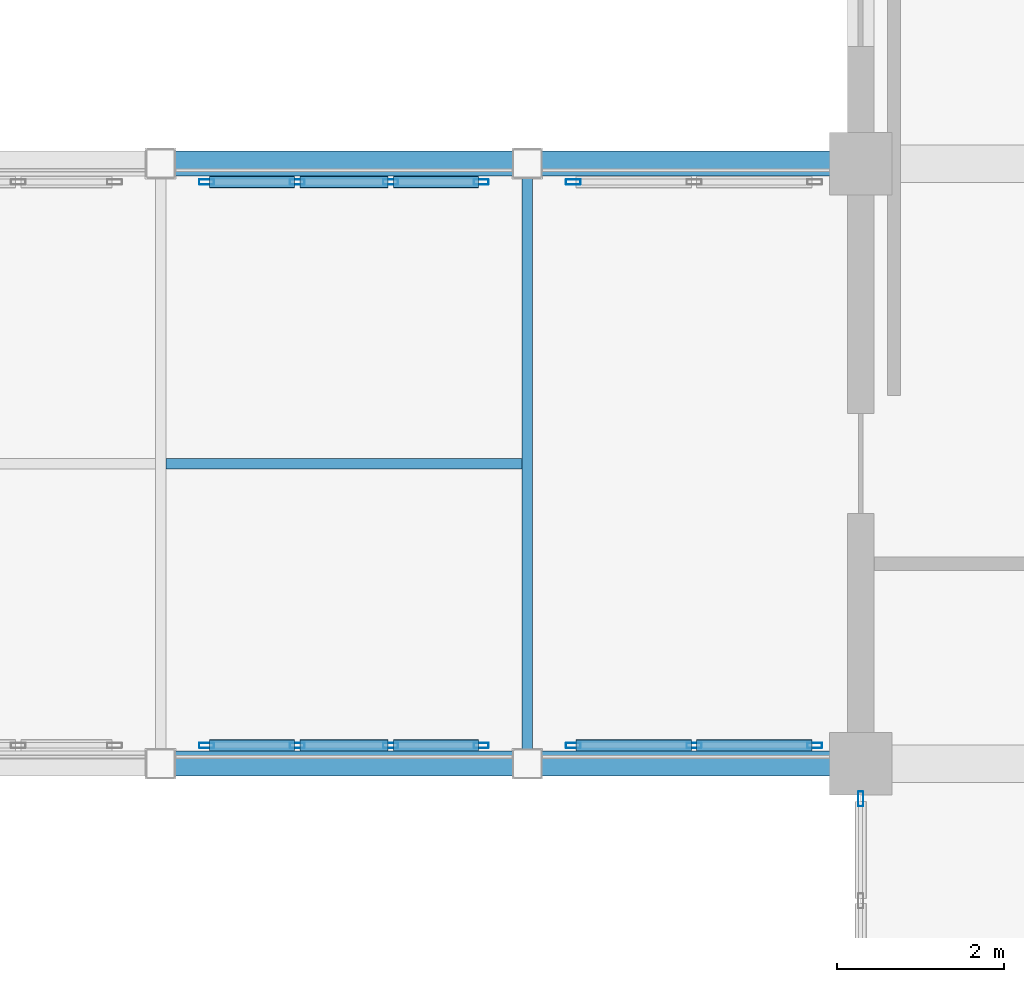
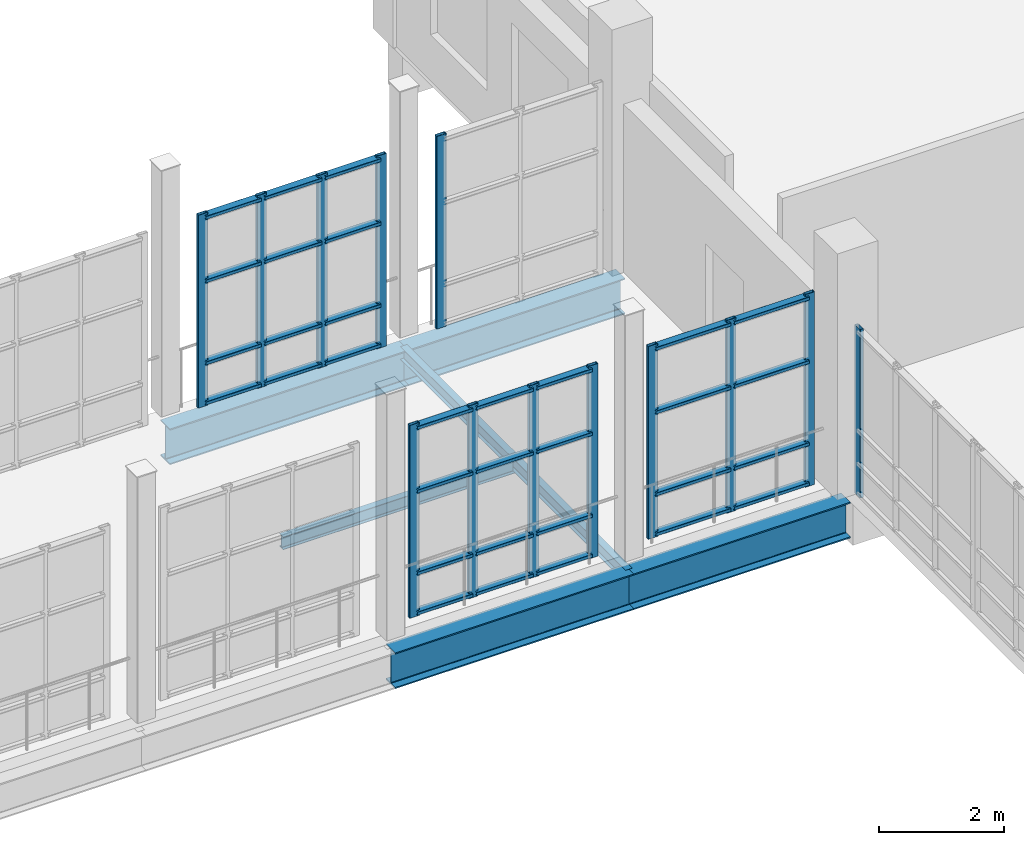
# One storey, part 33 of 106: 45 members, 6 beams, 5 elements without a shape of their own.
"""IFC4 building model written with IfcOpenShell, lengths in metres."""

from ifc_helpers import new_model, si_unit, direction, frame, origin, origin_2d, place, context, subcontext, project, spatial, hollow_rectangle, i_section, extrude, material, layer, layer_set, material_profile, profile_set, type_object, element, aggregate, save


model = new_model("IFC4")

# Units and contexts
model_context = context("Model", 3, precision=1e-05, world=origin(), true_north=direction((0.0, 1.0)))
body_context = subcontext(model_context, "Body", "Model", "MODEL_VIEW")
ifc_project = project(units=[si_unit("LENGTHUNIT", "METRE"), si_unit("AREAUNIT", "SQUARE_METRE"), si_unit("VOLUMEUNIT", "CUBIC_METRE"), si_unit("PLANEANGLEUNIT", "RADIAN"), si_unit("MASSUNIT", "GRAM", prefix="KILO")], contexts=[model_context])

# Site, building, storey
site_placement = place(None, origin())
site = spatial("IfcSite", under=ifc_project, at=site_placement, CompositionType="ELEMENT")
building_placement = place(site_placement, origin())
building = spatial("IfcBuilding", under=site, at=building_placement, Name="Kisaragi Civic Commons", CompositionType="ELEMENT")
storey_placement = place(building_placement, frame((0.0, 0.0, 4.800048828125)))
storey = spatial("IfcBuildingStorey", under=building, at=storey_placement, Name="L01", CompositionType="ELEMENT", Elevation=4.800048828125)

# Curtain wall, member
ifc_material_1 = material(Name="Thermally broken anodized aluminium and low-E double glazing", Category="aluminium")
ifc_layer_1 = layer(ifc_material_1, 0.179931640625, Name="Thermally broken anodized aluminium and low-E double glazing", Category="aluminium")
ifc_layer_set_1 = layer_set([ifc_layer_1], Name="Thermally broken anodized aluminium and low-E double glazing")
curtain_wall_type_1 = type_object("IfcCurtainWallType", Name="CW-01", PredefinedType="NOTDEFINED", material=ifc_layer_set_1)
curtain_wall_1_placement = place(storey_placement, origin())
curtain_wall_1 = element("IfcCurtainWall", 1, at=curtain_wall_1_placement, inside=storey, type_object=curtain_wall_type_1, Name="L01 curtain wall CW-01 CW-V4-L01-078", PredefinedType="NOTDEFINED")
ifc_material_profile_1 = material_profile(ifc_material_1, hollow_rectangle(XDim=0.06494140625, YDim=0.179931640625, WallThickness=0.00439453125, InnerFilletRadius=0.00439453125, OuterFilletRadius=0.009033203125, at=origin_2d()), Name="CWM-65x180x4.5", Category="aluminium")
ifc_profile_set_1 = profile_set([ifc_material_profile_1], Name="Thermally broken anodized aluminium and low-E double glazing")
member_type_1 = type_object("IfcMemberType", Name="CWM-02", PredefinedType="MULLION", material=ifc_profile_set_1)
member_1_placement = place(storey_placement, frame((72.0, 103.9775390625, 0.0), z_axis=(0.0, 0.0, 1.0), x_axis=(-1.0, 0.0, 0.0)))
member_1 = element("IfcMember", 2, at=member_1_placement, type_object=member_type_1, Name="CW-01 mullion 4", PredefinedType="MULLION", context=body_context, shape_type="SweptSolid", body=[
    extrude(hollow_rectangle(XDim=0.06494140625, YDim=0.179931640625, WallThickness=0.00439453125, InnerFilletRadius=0.00439453125, OuterFilletRadius=0.009033203125, at=origin_2d()), origin(), (0.0, 0.0, 1.0), 3.284912109375),
])
aggregate(curtain_wall_1, [member_1])

# Curtain wall, members
ifc_layer_2 = layer(ifc_material_1, 0.179931640625, Name="Thermally broken anodized aluminium and low-E double glazing", Category="aluminium")
ifc_layer_set_2 = layer_set([ifc_layer_2], Name="Thermally broken anodized aluminium and low-E double glazing")
curtain_wall_type_2 = type_object("IfcCurtainWallType", Name="CW-04", PredefinedType="NOTDEFINED", material=ifc_layer_set_2)
curtain_wall_2_placement = place(storey_placement, origin())
curtain_wall_2 = element("IfcCurtainWall", 3, at=curtain_wall_2_placement, inside=storey, type_object=curtain_wall_type_2, Name="L01 curtain wall CW-04 CW-BR-119", PredefinedType="NOTDEFINED")
member_2_placement = place(storey_placement, frame((64.152587890625, 104.6201171875, 0.0), z_axis=(0.0, 0.0, 1.0), x_axis=(0.0, 1.0, 0.0)))
member_2 = element("IfcMember", 4, at=member_2_placement, type_object=member_type_1, Name="CW-04 mullion 1", PredefinedType="MULLION", context=body_context, shape_type="SweptSolid", body=[
    extrude(hollow_rectangle(XDim=0.06494140625, YDim=0.179931640625, WallThickness=0.00439453125, InnerFilletRadius=0.00439453125, OuterFilletRadius=0.009033203125, at=origin_2d()), origin(), (0.0, 0.0, 1.0), 3.760009765625),
])
member_3_placement = place(storey_placement, frame((65.239990234375, 104.6201171875, 0.0), z_axis=(0.0, 0.0, 1.0), x_axis=(0.0, 1.0, 0.0)))
member_3 = element("IfcMember", 5, at=member_3_placement, type_object=member_type_1, Name="CW-04 mullion 2", PredefinedType="MULLION", context=body_context, shape_type="SweptSolid", body=[
    extrude(hollow_rectangle(XDim=0.06494140625, YDim=0.179931640625, WallThickness=0.00439453125, InnerFilletRadius=0.00439453125, OuterFilletRadius=0.009033203125, at=origin_2d()), origin(), (0.0, 0.0, 1.0), 3.760009765625),
])
member_4_placement = place(storey_placement, frame((66.360107421875, 104.6201171875, 0.0), z_axis=(0.0, 0.0, 1.0), x_axis=(0.0, 1.0, 0.0)))
member_4 = element("IfcMember", 6, at=member_4_placement, type_object=member_type_1, Name="CW-04 mullion 3", PredefinedType="MULLION", context=body_context, shape_type="SweptSolid", body=[
    extrude(hollow_rectangle(XDim=0.06494140625, YDim=0.179931640625, WallThickness=0.00439453125, InnerFilletRadius=0.00439453125, OuterFilletRadius=0.009033203125, at=origin_2d()), origin(), (0.0, 0.0, 1.0), 3.760009765625),
])
member_5_placement = place(storey_placement, frame((67.447509765625, 104.6201171875, 0.0), z_axis=(0.0, 0.0, 1.0), x_axis=(0.0, 1.0, 0.0)))
member_5 = element("IfcMember", 7, at=member_5_placement, type_object=member_type_1, Name="CW-04 mullion 4", PredefinedType="MULLION", context=body_context, shape_type="SweptSolid", body=[
    extrude(hollow_rectangle(XDim=0.06494140625, YDim=0.179931640625, WallThickness=0.00439453125, InnerFilletRadius=0.00439453125, OuterFilletRadius=0.009033203125, at=origin_2d()), origin(), (0.0, 0.0, 1.0), 3.760009765625),
])

curtain_wall_3_placement = place(storey_placement, origin())
curtain_wall_3 = element("IfcCurtainWall", 8, at=curtain_wall_3_placement, inside=storey, type_object=curtain_wall_type_2, Name="L01 curtain wall CW-04 CW-BR-120", PredefinedType="NOTDEFINED")
member_6_placement = place(storey_placement, frame((68.552490234375, 104.6201171875, 0.0), z_axis=(0.0, 0.0, 1.0), x_axis=(0.0, 1.0, 0.0)))
member_6 = element("IfcMember", 9, at=member_6_placement, type_object=member_type_1, Name="CW-04 mullion 1", PredefinedType="MULLION", context=body_context, shape_type="SweptSolid", body=[
    extrude(hollow_rectangle(XDim=0.06494140625, YDim=0.179931640625, WallThickness=0.00439453125, InnerFilletRadius=0.00439453125, OuterFilletRadius=0.009033203125, at=origin_2d()), origin(), (0.0, 0.0, 1.0), 3.760009765625),
])
member_7_placement = place(storey_placement, frame((70.0, 104.6201171875, 0.0), z_axis=(0.0, 0.0, 1.0), x_axis=(0.0, 1.0, 0.0)))
member_7 = element("IfcMember", 10, at=member_7_placement, type_object=member_type_1, Name="CW-04 mullion 2", PredefinedType="MULLION", context=body_context, shape_type="SweptSolid", body=[
    extrude(hollow_rectangle(XDim=0.06494140625, YDim=0.179931640625, WallThickness=0.00439453125, InnerFilletRadius=0.00439453125, OuterFilletRadius=0.009033203125, at=origin_2d()), origin(), (0.0, 0.0, 1.0), 3.760009765625),
])
member_8_placement = place(storey_placement, frame((71.447509765625, 104.6201171875, 0.0), z_axis=(0.0, 0.0, 1.0), x_axis=(0.0, 1.0, 0.0)))
member_8 = element("IfcMember", 11, at=member_8_placement, type_object=member_type_1, Name="CW-04 mullion 3", PredefinedType="MULLION", context=body_context, shape_type="SweptSolid", body=[
    extrude(hollow_rectangle(XDim=0.06494140625, YDim=0.179931640625, WallThickness=0.00439453125, InnerFilletRadius=0.00439453125, OuterFilletRadius=0.009033203125, at=origin_2d()), origin(), (0.0, 0.0, 1.0), 3.760009765625),
])

curtain_wall_4_placement = place(storey_placement, origin())
curtain_wall_4 = element("IfcCurtainWall", 12, at=curtain_wall_4_placement, inside=storey, type_object=curtain_wall_type_2, Name="L01 curtain wall CW-04 CW-BR-123", PredefinedType="NOTDEFINED")
member_9_placement = place(storey_placement, frame((64.152587890625, 111.3798828125, 0.0), z_axis=(0.0, 0.0, 1.0), x_axis=(0.0, 1.0, 0.0)))
member_9 = element("IfcMember", 13, at=member_9_placement, type_object=member_type_1, Name="CW-04 mullion 1", PredefinedType="MULLION", context=body_context, shape_type="SweptSolid", body=[
    extrude(hollow_rectangle(XDim=0.06494140625, YDim=0.179931640625, WallThickness=0.00439453125, InnerFilletRadius=0.00439453125, OuterFilletRadius=0.009033203125, at=origin_2d()), origin(), (0.0, 0.0, 1.0), 3.760009765625),
])
member_10_placement = place(storey_placement, frame((65.239990234375, 111.3798828125, 0.0), z_axis=(0.0, 0.0, 1.0), x_axis=(0.0, 1.0, 0.0)))
member_10 = element("IfcMember", 14, at=member_10_placement, type_object=member_type_1, Name="CW-04 mullion 2", PredefinedType="MULLION", context=body_context, shape_type="SweptSolid", body=[
    extrude(hollow_rectangle(XDim=0.06494140625, YDim=0.179931640625, WallThickness=0.00439453125, InnerFilletRadius=0.00439453125, OuterFilletRadius=0.009033203125, at=origin_2d()), origin(), (0.0, 0.0, 1.0), 3.760009765625),
])
member_11_placement = place(storey_placement, frame((66.360107421875, 111.3798828125, 0.0), z_axis=(0.0, 0.0, 1.0), x_axis=(0.0, 1.0, 0.0)))
member_11 = element("IfcMember", 15, at=member_11_placement, type_object=member_type_1, Name="CW-04 mullion 3", PredefinedType="MULLION", context=body_context, shape_type="SweptSolid", body=[
    extrude(hollow_rectangle(XDim=0.06494140625, YDim=0.179931640625, WallThickness=0.00439453125, InnerFilletRadius=0.00439453125, OuterFilletRadius=0.009033203125, at=origin_2d()), origin(), (0.0, 0.0, 1.0), 3.760009765625),
])
member_12_placement = place(storey_placement, frame((67.447509765625, 111.3798828125, 0.0), z_axis=(0.0, 0.0, 1.0), x_axis=(0.0, 1.0, 0.0)))
member_12 = element("IfcMember", 16, at=member_12_placement, type_object=member_type_1, Name="CW-04 mullion 4", PredefinedType="MULLION", context=body_context, shape_type="SweptSolid", body=[
    extrude(hollow_rectangle(XDim=0.06494140625, YDim=0.179931640625, WallThickness=0.00439453125, InnerFilletRadius=0.00439453125, OuterFilletRadius=0.009033203125, at=origin_2d()), origin(), (0.0, 0.0, 1.0), 3.760009765625),
])

# Curtain wall, member
curtain_wall_5_placement = place(storey_placement, origin())
curtain_wall_5 = element("IfcCurtainWall", 17, at=curtain_wall_5_placement, inside=storey, type_object=curtain_wall_type_2, Name="L01 curtain wall CW-04 CW-BR-124", PredefinedType="NOTDEFINED")
member_13_placement = place(storey_placement, frame((68.552490234375, 111.3798828125, 0.0), z_axis=(0.0, 0.0, 1.0), x_axis=(0.0, 1.0, 0.0)))
member_13 = element("IfcMember", 18, at=member_13_placement, type_object=member_type_1, Name="CW-04 mullion 1", PredefinedType="MULLION", context=body_context, shape_type="SweptSolid", body=[
    extrude(hollow_rectangle(XDim=0.06494140625, YDim=0.179931640625, WallThickness=0.00439453125, InnerFilletRadius=0.00439453125, OuterFilletRadius=0.009033203125, at=origin_2d()), origin(), (0.0, 0.0, 1.0), 3.760009765625),
])
aggregate(curtain_wall_5, [member_13])

# Member
ifc_material_profile_2 = material_profile(ifc_material_1, hollow_rectangle(XDim=0.139892578125, YDim=0.06494140625, WallThickness=0.00439453125, InnerFilletRadius=0.00439453125, OuterFilletRadius=0.009033203125, at=origin_2d()), Name="CWT-65x140x4.5", Category="aluminium")
ifc_profile_set_2 = profile_set([ifc_material_profile_2], Name="Thermally broken anodized aluminium and low-E double glazing")
member_type_2 = type_object("IfcMemberType", Name="CWT-02", PredefinedType="USERDEFINED", material=ifc_profile_set_2)
member_14_placement = place(storey_placement, frame((64.18505859375, 104.6201171875, 0.070068359375), z_axis=(1.0, 0.0, 0.0), x_axis=(0.0, 1.0, 0.0)))
member_14 = element("IfcMember", 19, at=member_14_placement, type_object=member_type_2, Name="CW-04 transom 1.1", ObjectType="TRANSOM", PredefinedType="USERDEFINED", context=body_context, shape_type="SweptSolid", body=[
    extrude(hollow_rectangle(XDim=0.139892578125, YDim=0.06494140625, WallThickness=0.00439453125, InnerFilletRadius=0.00439453125, OuterFilletRadius=0.009033203125, at=origin_2d()), origin(), (0.0, 0.0, 1.0), 1.0224609375),
])

member_15_placement = place(storey_placement, frame((64.18505859375, 104.6201171875, 0.849853515625), z_axis=(1.0, 0.0, 0.0), x_axis=(0.0, 1.0, 0.0)))
member_15 = element("IfcMember", 20, at=member_15_placement, type_object=member_type_2, Name="CW-04 transom 1.2", ObjectType="TRANSOM", PredefinedType="USERDEFINED", context=body_context, shape_type="SweptSolid", body=[
    extrude(hollow_rectangle(XDim=0.139892578125, YDim=0.06494140625, WallThickness=0.00439453125, InnerFilletRadius=0.00439453125, OuterFilletRadius=0.009033203125, at=origin_2d()), origin(), (0.0, 0.0, 1.0), 1.0224609375),
])

member_16_placement = place(storey_placement, frame((64.18505859375, 104.6201171875, 2.449951171875), z_axis=(1.0, 0.0, 0.0), x_axis=(0.0, 1.0, 0.0)))
member_16 = element("IfcMember", 21, at=member_16_placement, type_object=member_type_2, Name="CW-04 transom 1.3", ObjectType="TRANSOM", PredefinedType="USERDEFINED", context=body_context, shape_type="SweptSolid", body=[
    extrude(hollow_rectangle(XDim=0.139892578125, YDim=0.06494140625, WallThickness=0.00439453125, InnerFilletRadius=0.00439453125, OuterFilletRadius=0.009033203125, at=origin_2d()), origin(), (0.0, 0.0, 1.0), 1.0224609375),
])

member_17_placement = place(storey_placement, frame((64.18505859375, 104.6201171875, 3.68994140625), z_axis=(1.0, 0.0, 0.0), x_axis=(0.0, 1.0, 0.0)))
member_17 = element("IfcMember", 22, at=member_17_placement, type_object=member_type_2, Name="CW-04 transom 1.4", ObjectType="TRANSOM", PredefinedType="USERDEFINED", context=body_context, shape_type="SweptSolid", body=[
    extrude(hollow_rectangle(XDim=0.139892578125, YDim=0.06494140625, WallThickness=0.00439453125, InnerFilletRadius=0.00439453125, OuterFilletRadius=0.009033203125, at=origin_2d()), origin(), (0.0, 0.0, 1.0), 1.0224609375),
])

member_18_placement = place(storey_placement, frame((65.2724609375, 104.6201171875, 0.070068359375), z_axis=(1.0, 0.0, 0.0), x_axis=(0.0, 1.0, 0.0)))
member_18 = element("IfcMember", 23, at=member_18_placement, type_object=member_type_2, Name="CW-04 transom 2.1", ObjectType="TRANSOM", PredefinedType="USERDEFINED", context=body_context, shape_type="SweptSolid", body=[
    extrude(hollow_rectangle(XDim=0.139892578125, YDim=0.06494140625, WallThickness=0.00439453125, InnerFilletRadius=0.00439453125, OuterFilletRadius=0.009033203125, at=origin_2d()), origin(), (0.0, 0.0, 1.0), 1.054931640625),
])

member_19_placement = place(storey_placement, frame((65.2724609375, 104.6201171875, 0.849853515625), z_axis=(1.0, 0.0, 0.0), x_axis=(0.0, 1.0, 0.0)))
member_19 = element("IfcMember", 24, at=member_19_placement, type_object=member_type_2, Name="CW-04 transom 2.2", ObjectType="TRANSOM", PredefinedType="USERDEFINED", context=body_context, shape_type="SweptSolid", body=[
    extrude(hollow_rectangle(XDim=0.139892578125, YDim=0.06494140625, WallThickness=0.00439453125, InnerFilletRadius=0.00439453125, OuterFilletRadius=0.009033203125, at=origin_2d()), origin(), (0.0, 0.0, 1.0), 1.054931640625),
])

member_20_placement = place(storey_placement, frame((65.2724609375, 104.6201171875, 2.449951171875), z_axis=(1.0, 0.0, 0.0), x_axis=(0.0, 1.0, 0.0)))
member_20 = element("IfcMember", 25, at=member_20_placement, type_object=member_type_2, Name="CW-04 transom 2.3", ObjectType="TRANSOM", PredefinedType="USERDEFINED", context=body_context, shape_type="SweptSolid", body=[
    extrude(hollow_rectangle(XDim=0.139892578125, YDim=0.06494140625, WallThickness=0.00439453125, InnerFilletRadius=0.00439453125, OuterFilletRadius=0.009033203125, at=origin_2d()), origin(), (0.0, 0.0, 1.0), 1.054931640625),
])

member_21_placement = place(storey_placement, frame((65.2724609375, 104.6201171875, 3.68994140625), z_axis=(1.0, 0.0, 0.0), x_axis=(0.0, 1.0, 0.0)))
member_21 = element("IfcMember", 26, at=member_21_placement, type_object=member_type_2, Name="CW-04 transom 2.4", ObjectType="TRANSOM", PredefinedType="USERDEFINED", context=body_context, shape_type="SweptSolid", body=[
    extrude(hollow_rectangle(XDim=0.139892578125, YDim=0.06494140625, WallThickness=0.00439453125, InnerFilletRadius=0.00439453125, OuterFilletRadius=0.009033203125, at=origin_2d()), origin(), (0.0, 0.0, 1.0), 1.054931640625),
])

member_22_placement = place(storey_placement, frame((66.392578125, 104.6201171875, 0.070068359375), z_axis=(1.0, 0.0, 0.0), x_axis=(0.0, 1.0, 0.0)))
member_22 = element("IfcMember", 27, at=member_22_placement, type_object=member_type_2, Name="CW-04 transom 3.1", ObjectType="TRANSOM", PredefinedType="USERDEFINED", context=body_context, shape_type="SweptSolid", body=[
    extrude(hollow_rectangle(XDim=0.139892578125, YDim=0.06494140625, WallThickness=0.00439453125, InnerFilletRadius=0.00439453125, OuterFilletRadius=0.009033203125, at=origin_2d()), origin(), (0.0, 0.0, 1.0), 1.0224609375),
])

member_23_placement = place(storey_placement, frame((66.392578125, 104.6201171875, 0.849853515625), z_axis=(1.0, 0.0, 0.0), x_axis=(0.0, 1.0, 0.0)))
member_23 = element("IfcMember", 28, at=member_23_placement, type_object=member_type_2, Name="CW-04 transom 3.2", ObjectType="TRANSOM", PredefinedType="USERDEFINED", context=body_context, shape_type="SweptSolid", body=[
    extrude(hollow_rectangle(XDim=0.139892578125, YDim=0.06494140625, WallThickness=0.00439453125, InnerFilletRadius=0.00439453125, OuterFilletRadius=0.009033203125, at=origin_2d()), origin(), (0.0, 0.0, 1.0), 1.0224609375),
])

member_24_placement = place(storey_placement, frame((66.392578125, 104.6201171875, 2.449951171875), z_axis=(1.0, 0.0, 0.0), x_axis=(0.0, 1.0, 0.0)))
member_24 = element("IfcMember", 29, at=member_24_placement, type_object=member_type_2, Name="CW-04 transom 3.3", ObjectType="TRANSOM", PredefinedType="USERDEFINED", context=body_context, shape_type="SweptSolid", body=[
    extrude(hollow_rectangle(XDim=0.139892578125, YDim=0.06494140625, WallThickness=0.00439453125, InnerFilletRadius=0.00439453125, OuterFilletRadius=0.009033203125, at=origin_2d()), origin(), (0.0, 0.0, 1.0), 1.0224609375),
])

member_25_placement = place(storey_placement, frame((66.392578125, 104.6201171875, 3.68994140625), z_axis=(1.0, 0.0, 0.0), x_axis=(0.0, 1.0, 0.0)))
member_25 = element("IfcMember", 30, at=member_25_placement, type_object=member_type_2, Name="CW-04 transom 3.4", ObjectType="TRANSOM", PredefinedType="USERDEFINED", context=body_context, shape_type="SweptSolid", body=[
    extrude(hollow_rectangle(XDim=0.139892578125, YDim=0.06494140625, WallThickness=0.00439453125, InnerFilletRadius=0.00439453125, OuterFilletRadius=0.009033203125, at=origin_2d()), origin(), (0.0, 0.0, 1.0), 1.0224609375),
])

aggregate(curtain_wall_2, [member_2, member_3, member_4, member_5, member_14, member_15, member_16, member_17, member_18, member_19, member_20, member_21, member_22, member_23, member_24, member_25])

member_26_placement = place(storey_placement, frame((68.5849609375, 104.6201171875, 0.070068359375), z_axis=(1.0, 0.0, 0.0), x_axis=(0.0, 1.0, 0.0)))
member_26 = element("IfcMember", 31, at=member_26_placement, type_object=member_type_2, Name="CW-04 transom 1.1", ObjectType="TRANSOM", PredefinedType="USERDEFINED", context=body_context, shape_type="SweptSolid", body=[
    extrude(hollow_rectangle(XDim=0.139892578125, YDim=0.06494140625, WallThickness=0.00439453125, InnerFilletRadius=0.00439453125, OuterFilletRadius=0.009033203125, at=origin_2d()), origin(), (0.0, 0.0, 1.0), 1.382568359375),
])

member_27_placement = place(storey_placement, frame((68.5849609375, 104.6201171875, 0.849853515625), z_axis=(1.0, 0.0, 0.0), x_axis=(0.0, 1.0, 0.0)))
member_27 = element("IfcMember", 32, at=member_27_placement, type_object=member_type_2, Name="CW-04 transom 1.2", ObjectType="TRANSOM", PredefinedType="USERDEFINED", context=body_context, shape_type="SweptSolid", body=[
    extrude(hollow_rectangle(XDim=0.139892578125, YDim=0.06494140625, WallThickness=0.00439453125, InnerFilletRadius=0.00439453125, OuterFilletRadius=0.009033203125, at=origin_2d()), origin(), (0.0, 0.0, 1.0), 1.382568359375),
])

member_28_placement = place(storey_placement, frame((68.5849609375, 104.6201171875, 2.449951171875), z_axis=(1.0, 0.0, 0.0), x_axis=(0.0, 1.0, 0.0)))
member_28 = element("IfcMember", 33, at=member_28_placement, type_object=member_type_2, Name="CW-04 transom 1.3", ObjectType="TRANSOM", PredefinedType="USERDEFINED", context=body_context, shape_type="SweptSolid", body=[
    extrude(hollow_rectangle(XDim=0.139892578125, YDim=0.06494140625, WallThickness=0.00439453125, InnerFilletRadius=0.00439453125, OuterFilletRadius=0.009033203125, at=origin_2d()), origin(), (0.0, 0.0, 1.0), 1.382568359375),
])

member_29_placement = place(storey_placement, frame((68.5849609375, 104.6201171875, 3.68994140625), z_axis=(1.0, 0.0, 0.0), x_axis=(0.0, 1.0, 0.0)))
member_29 = element("IfcMember", 34, at=member_29_placement, type_object=member_type_2, Name="CW-04 transom 1.4", ObjectType="TRANSOM", PredefinedType="USERDEFINED", context=body_context, shape_type="SweptSolid", body=[
    extrude(hollow_rectangle(XDim=0.139892578125, YDim=0.06494140625, WallThickness=0.00439453125, InnerFilletRadius=0.00439453125, OuterFilletRadius=0.009033203125, at=origin_2d()), origin(), (0.0, 0.0, 1.0), 1.382568359375),
])

member_30_placement = place(storey_placement, frame((70.032470703125, 104.6201171875, 0.070068359375), z_axis=(1.0, 0.0, 0.0), x_axis=(0.0, 1.0, 0.0)))
member_30 = element("IfcMember", 35, at=member_30_placement, type_object=member_type_2, Name="CW-04 transom 2.1", ObjectType="TRANSOM", PredefinedType="USERDEFINED", context=body_context, shape_type="SweptSolid", body=[
    extrude(hollow_rectangle(XDim=0.139892578125, YDim=0.06494140625, WallThickness=0.00439453125, InnerFilletRadius=0.00439453125, OuterFilletRadius=0.009033203125, at=origin_2d()), origin(), (0.0, 0.0, 1.0), 1.382568359375),
])

member_31_placement = place(storey_placement, frame((70.032470703125, 104.6201171875, 0.849853515625), z_axis=(1.0, 0.0, 0.0), x_axis=(0.0, 1.0, 0.0)))
member_31 = element("IfcMember", 36, at=member_31_placement, type_object=member_type_2, Name="CW-04 transom 2.2", ObjectType="TRANSOM", PredefinedType="USERDEFINED", context=body_context, shape_type="SweptSolid", body=[
    extrude(hollow_rectangle(XDim=0.139892578125, YDim=0.06494140625, WallThickness=0.00439453125, InnerFilletRadius=0.00439453125, OuterFilletRadius=0.009033203125, at=origin_2d()), origin(), (0.0, 0.0, 1.0), 1.382568359375),
])

member_32_placement = place(storey_placement, frame((70.032470703125, 104.6201171875, 2.449951171875), z_axis=(1.0, 0.0, 0.0), x_axis=(0.0, 1.0, 0.0)))
member_32 = element("IfcMember", 37, at=member_32_placement, type_object=member_type_2, Name="CW-04 transom 2.3", ObjectType="TRANSOM", PredefinedType="USERDEFINED", context=body_context, shape_type="SweptSolid", body=[
    extrude(hollow_rectangle(XDim=0.139892578125, YDim=0.06494140625, WallThickness=0.00439453125, InnerFilletRadius=0.00439453125, OuterFilletRadius=0.009033203125, at=origin_2d()), origin(), (0.0, 0.0, 1.0), 1.382568359375),
])

member_33_placement = place(storey_placement, frame((70.032470703125, 104.6201171875, 3.68994140625), z_axis=(1.0, 0.0, 0.0), x_axis=(0.0, 1.0, 0.0)))
member_33 = element("IfcMember", 38, at=member_33_placement, type_object=member_type_2, Name="CW-04 transom 2.4", ObjectType="TRANSOM", PredefinedType="USERDEFINED", context=body_context, shape_type="SweptSolid", body=[
    extrude(hollow_rectangle(XDim=0.139892578125, YDim=0.06494140625, WallThickness=0.00439453125, InnerFilletRadius=0.00439453125, OuterFilletRadius=0.009033203125, at=origin_2d()), origin(), (0.0, 0.0, 1.0), 1.382568359375),
])

aggregate(curtain_wall_3, [member_6, member_7, member_8, member_26, member_27, member_28, member_29, member_30, member_31, member_32, member_33])

member_34_placement = place(storey_placement, frame((64.18505859375, 111.3798828125, 0.070068359375), z_axis=(1.0, 0.0, 0.0), x_axis=(0.0, 1.0, 0.0)))
member_34 = element("IfcMember", 39, at=member_34_placement, type_object=member_type_2, Name="CW-04 transom 1.1", ObjectType="TRANSOM", PredefinedType="USERDEFINED", context=body_context, shape_type="SweptSolid", body=[
    extrude(hollow_rectangle(XDim=0.139892578125, YDim=0.06494140625, WallThickness=0.00439453125, InnerFilletRadius=0.00439453125, OuterFilletRadius=0.009033203125, at=origin_2d()), origin(), (0.0, 0.0, 1.0), 1.0224609375),
])

member_35_placement = place(storey_placement, frame((64.18505859375, 111.3798828125, 0.849853515625), z_axis=(1.0, 0.0, 0.0), x_axis=(0.0, 1.0, 0.0)))
member_35 = element("IfcMember", 40, at=member_35_placement, type_object=member_type_2, Name="CW-04 transom 1.2", ObjectType="TRANSOM", PredefinedType="USERDEFINED", context=body_context, shape_type="SweptSolid", body=[
    extrude(hollow_rectangle(XDim=0.139892578125, YDim=0.06494140625, WallThickness=0.00439453125, InnerFilletRadius=0.00439453125, OuterFilletRadius=0.009033203125, at=origin_2d()), origin(), (0.0, 0.0, 1.0), 1.0224609375),
])

member_36_placement = place(storey_placement, frame((64.18505859375, 111.3798828125, 2.449951171875), z_axis=(1.0, 0.0, 0.0), x_axis=(0.0, 1.0, 0.0)))
member_36 = element("IfcMember", 41, at=member_36_placement, type_object=member_type_2, Name="CW-04 transom 1.3", ObjectType="TRANSOM", PredefinedType="USERDEFINED", context=body_context, shape_type="SweptSolid", body=[
    extrude(hollow_rectangle(XDim=0.139892578125, YDim=0.06494140625, WallThickness=0.00439453125, InnerFilletRadius=0.00439453125, OuterFilletRadius=0.009033203125, at=origin_2d()), origin(), (0.0, 0.0, 1.0), 1.0224609375),
])

member_37_placement = place(storey_placement, frame((64.18505859375, 111.3798828125, 3.68994140625), z_axis=(1.0, 0.0, 0.0), x_axis=(0.0, 1.0, 0.0)))
member_37 = element("IfcMember", 42, at=member_37_placement, type_object=member_type_2, Name="CW-04 transom 1.4", ObjectType="TRANSOM", PredefinedType="USERDEFINED", context=body_context, shape_type="SweptSolid", body=[
    extrude(hollow_rectangle(XDim=0.139892578125, YDim=0.06494140625, WallThickness=0.00439453125, InnerFilletRadius=0.00439453125, OuterFilletRadius=0.009033203125, at=origin_2d()), origin(), (0.0, 0.0, 1.0), 1.0224609375),
])

member_38_placement = place(storey_placement, frame((65.2724609375, 111.3798828125, 0.070068359375), z_axis=(1.0, 0.0, 0.0), x_axis=(0.0, 1.0, 0.0)))
member_38 = element("IfcMember", 43, at=member_38_placement, type_object=member_type_2, Name="CW-04 transom 2.1", ObjectType="TRANSOM", PredefinedType="USERDEFINED", context=body_context, shape_type="SweptSolid", body=[
    extrude(hollow_rectangle(XDim=0.139892578125, YDim=0.06494140625, WallThickness=0.00439453125, InnerFilletRadius=0.00439453125, OuterFilletRadius=0.009033203125, at=origin_2d()), origin(), (0.0, 0.0, 1.0), 1.054931640625),
])

member_39_placement = place(storey_placement, frame((65.2724609375, 111.3798828125, 0.849853515625), z_axis=(1.0, 0.0, 0.0), x_axis=(0.0, 1.0, 0.0)))
member_39 = element("IfcMember", 44, at=member_39_placement, type_object=member_type_2, Name="CW-04 transom 2.2", ObjectType="TRANSOM", PredefinedType="USERDEFINED", context=body_context, shape_type="SweptSolid", body=[
    extrude(hollow_rectangle(XDim=0.139892578125, YDim=0.06494140625, WallThickness=0.00439453125, InnerFilletRadius=0.00439453125, OuterFilletRadius=0.009033203125, at=origin_2d()), origin(), (0.0, 0.0, 1.0), 1.054931640625),
])

member_40_placement = place(storey_placement, frame((65.2724609375, 111.3798828125, 2.449951171875), z_axis=(1.0, 0.0, 0.0), x_axis=(0.0, 1.0, 0.0)))
member_40 = element("IfcMember", 45, at=member_40_placement, type_object=member_type_2, Name="CW-04 transom 2.3", ObjectType="TRANSOM", PredefinedType="USERDEFINED", context=body_context, shape_type="SweptSolid", body=[
    extrude(hollow_rectangle(XDim=0.139892578125, YDim=0.06494140625, WallThickness=0.00439453125, InnerFilletRadius=0.00439453125, OuterFilletRadius=0.009033203125, at=origin_2d()), origin(), (0.0, 0.0, 1.0), 1.054931640625),
])

member_41_placement = place(storey_placement, frame((65.2724609375, 111.3798828125, 3.68994140625), z_axis=(1.0, 0.0, 0.0), x_axis=(0.0, 1.0, 0.0)))
member_41 = element("IfcMember", 46, at=member_41_placement, type_object=member_type_2, Name="CW-04 transom 2.4", ObjectType="TRANSOM", PredefinedType="USERDEFINED", context=body_context, shape_type="SweptSolid", body=[
    extrude(hollow_rectangle(XDim=0.139892578125, YDim=0.06494140625, WallThickness=0.00439453125, InnerFilletRadius=0.00439453125, OuterFilletRadius=0.009033203125, at=origin_2d()), origin(), (0.0, 0.0, 1.0), 1.054931640625),
])

member_42_placement = place(storey_placement, frame((66.392578125, 111.3798828125, 0.070068359375), z_axis=(1.0, 0.0, 0.0), x_axis=(0.0, 1.0, 0.0)))
member_42 = element("IfcMember", 47, at=member_42_placement, type_object=member_type_2, Name="CW-04 transom 3.1", ObjectType="TRANSOM", PredefinedType="USERDEFINED", context=body_context, shape_type="SweptSolid", body=[
    extrude(hollow_rectangle(XDim=0.139892578125, YDim=0.06494140625, WallThickness=0.00439453125, InnerFilletRadius=0.00439453125, OuterFilletRadius=0.009033203125, at=origin_2d()), origin(), (0.0, 0.0, 1.0), 1.0224609375),
])

member_43_placement = place(storey_placement, frame((66.392578125, 111.3798828125, 0.849853515625), z_axis=(1.0, 0.0, 0.0), x_axis=(0.0, 1.0, 0.0)))
member_43 = element("IfcMember", 48, at=member_43_placement, type_object=member_type_2, Name="CW-04 transom 3.2", ObjectType="TRANSOM", PredefinedType="USERDEFINED", context=body_context, shape_type="SweptSolid", body=[
    extrude(hollow_rectangle(XDim=0.139892578125, YDim=0.06494140625, WallThickness=0.00439453125, InnerFilletRadius=0.00439453125, OuterFilletRadius=0.009033203125, at=origin_2d()), origin(), (0.0, 0.0, 1.0), 1.0224609375),
])

member_44_placement = place(storey_placement, frame((66.392578125, 111.3798828125, 2.449951171875), z_axis=(1.0, 0.0, 0.0), x_axis=(0.0, 1.0, 0.0)))
member_44 = element("IfcMember", 49, at=member_44_placement, type_object=member_type_2, Name="CW-04 transom 3.3", ObjectType="TRANSOM", PredefinedType="USERDEFINED", context=body_context, shape_type="SweptSolid", body=[
    extrude(hollow_rectangle(XDim=0.139892578125, YDim=0.06494140625, WallThickness=0.00439453125, InnerFilletRadius=0.00439453125, OuterFilletRadius=0.009033203125, at=origin_2d()), origin(), (0.0, 0.0, 1.0), 1.0224609375),
])

member_45_placement = place(storey_placement, frame((66.392578125, 111.3798828125, 3.68994140625), z_axis=(1.0, 0.0, 0.0), x_axis=(0.0, 1.0, 0.0)))
member_45 = element("IfcMember", 50, at=member_45_placement, type_object=member_type_2, Name="CW-04 transom 3.4", ObjectType="TRANSOM", PredefinedType="USERDEFINED", context=body_context, shape_type="SweptSolid", body=[
    extrude(hollow_rectangle(XDim=0.139892578125, YDim=0.06494140625, WallThickness=0.00439453125, InnerFilletRadius=0.00439453125, OuterFilletRadius=0.009033203125, at=origin_2d()), origin(), (0.0, 0.0, 1.0), 1.0224609375),
])

aggregate(curtain_wall_4, [member_9, member_10, member_11, member_12, member_34, member_35, member_36, member_37, member_38, member_39, member_40, member_41, member_42, member_43, member_44, member_45])

# Beams
ifc_material_2 = material(Name="Steel SN490 (SN490B)", Category="steel")
ifc_material_profile_3 = material_profile(ifc_material_2, i_section(OverallWidth=0.300048828125, OverallDepth=0.699951171875, WebThickness=0.012939453125, FlangeThickness=0.02392578125, FilletRadius=0.01806640625, at=origin_2d()), Name="H-700x300x13x24", Category="steel")
ifc_profile_set_3 = profile_set([ifc_material_profile_3], Name="Steel SN490 (SN490B)")
beam_type_1 = type_object("IfcBeamType", Name="G-09", PredefinedType="BEAM", material=ifc_profile_set_3)
beam_1_placement = place(storey_placement, frame((72.0, 104.39990234375, -0.655029296875), z_axis=(-1.0, 0.0, 0.0), x_axis=(0.0, -1.0, 0.0)))
element("IfcBeam", 51, at=beam_1_placement, inside=storey, type_object=beam_type_1, Name="BR-V4-V2 L01 bridge girder 16", PredefinedType="BEAM", context=body_context, shape_type="SweptSolid", body=[
    extrude(i_section(OverallWidth=0.300048828125, OverallDepth=0.699951171875, WebThickness=0.012939453125, FlangeThickness=0.02392578125, FilletRadius=0.01806640625, at=origin_2d()), origin(), (0.0, 0.0, 1.0), 4.0),
])
beam_2_placement = place(storey_placement, frame((68.0, 104.39990234375, -0.655029296875), z_axis=(-1.0, 0.0, 0.0), x_axis=(0.0, -1.0, 0.0)))
element("IfcBeam", 52, at=beam_2_placement, inside=storey, type_object=beam_type_1, Name="BR-V4-V2 L01 bridge girder 17", PredefinedType="BEAM", context=body_context, shape_type="SweptSolid", body=[
    extrude(i_section(OverallWidth=0.300048828125, OverallDepth=0.699951171875, WebThickness=0.012939453125, FlangeThickness=0.02392578125, FilletRadius=0.01806640625, at=origin_2d()), origin(), (0.0, 0.0, 1.0), 4.39990234375),
])
beam_3_placement = place(storey_placement, frame((72.0, 111.60009765625, -0.655029296875), z_axis=(-1.0, 0.0, 0.0), x_axis=(0.0, -1.0, 0.0)))
element("IfcBeam", 53, at=beam_3_placement, inside=storey, type_object=beam_type_1, Name="BR-V4-V2 L01 bridge girder 21", PredefinedType="BEAM", context=body_context, shape_type="SweptSolid", body=[
    extrude(i_section(OverallWidth=0.300048828125, OverallDepth=0.699951171875, WebThickness=0.012939453125, FlangeThickness=0.02392578125, FilletRadius=0.01806640625, at=origin_2d()), origin(), (0.0, 0.0, 1.0), 4.0),
])
beam_4_placement = place(storey_placement, frame((68.0, 111.60009765625, -0.655029296875), z_axis=(-1.0, 0.0, 0.0), x_axis=(0.0, -1.0, 0.0)))
element("IfcBeam", 54, at=beam_4_placement, inside=storey, type_object=beam_type_1, Name="BR-V4-V2 L01 bridge girder 22", PredefinedType="BEAM", context=body_context, shape_type="SweptSolid", body=[
    extrude(i_section(OverallWidth=0.300048828125, OverallDepth=0.699951171875, WebThickness=0.012939453125, FlangeThickness=0.02392578125, FilletRadius=0.01806640625, at=origin_2d()), origin(), (0.0, 0.0, 1.0), 4.39990234375),
])
ifc_material_3 = material(Name="Steel SN400 (SN400B)", Category="steel")
ifc_material_profile_4 = material_profile(ifc_material_3, i_section(OverallWidth=0.125, OverallDepth=0.25, WebThickness=0.006103515625, FlangeThickness=0.009033203125, FilletRadius=0.008056640625, at=origin_2d()), Name="H-250x125x6x9", Category="steel")
ifc_profile_set_4 = profile_set([ifc_material_profile_4], Name="Steel SN400 (SN400B)")
beam_type_2 = type_object("IfcBeamType", Name="J-05", PredefinedType="JOIST", material=ifc_profile_set_4)
beam_5_placement = place(storey_placement, frame((68.0, 104.39990234375, -0.429931640625), z_axis=(0.0, 1.0, 0.0), x_axis=(-1.0, 0.0, 0.0)))
element("IfcBeam", 55, at=beam_5_placement, inside=storey, type_object=beam_type_2, Name="BR-V4-V2 L01 cross joist 26", PredefinedType="JOIST", context=body_context, shape_type="SweptSolid", body=[
    extrude(i_section(OverallWidth=0.125, OverallDepth=0.25, WebThickness=0.006103515625, FlangeThickness=0.009033203125, FilletRadius=0.008056640625, at=origin_2d()), origin(), (0.0, 0.0, 1.0), 7.2001953125),
])
beam_6_placement = place(storey_placement, frame((67.9375, 108.0, -0.429931640625), z_axis=(-1.0, 0.0, 0.0), x_axis=(0.0, -1.0, 0.0)))
element("IfcBeam", 56, at=beam_6_placement, inside=storey, type_object=beam_type_2, Name="BR-V4-V2 L01 spine joist 29", PredefinedType="JOIST", context=body_context, shape_type="SweptSolid", body=[
    extrude(i_section(OverallWidth=0.125, OverallDepth=0.25, WebThickness=0.006103515625, FlangeThickness=0.009033203125, FilletRadius=0.008056640625, at=origin_2d()), origin(), (0.0, 0.0, 1.0), 4.27490234375),
])

save(model, "model.ifc")
